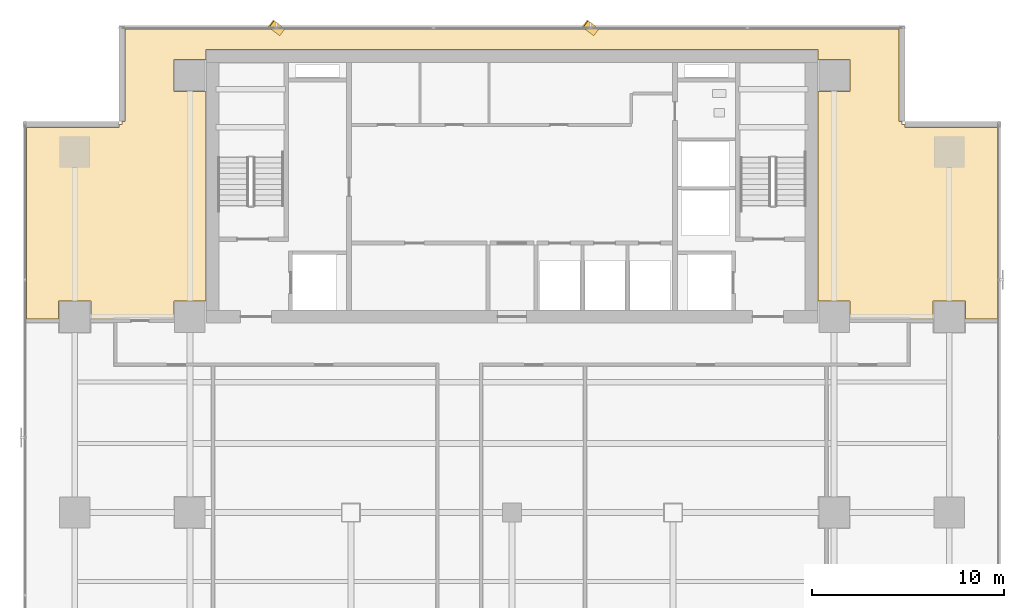
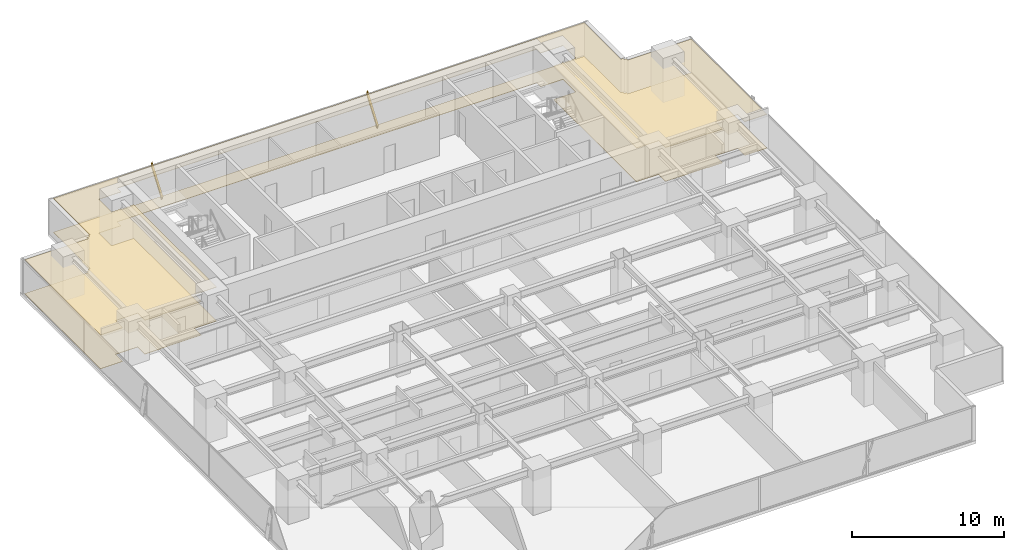
# One storey, part 35 of 37: 2 coverings, 2 shading devices.
"""IFC4 building model written with IfcOpenShell, lengths in metres."""

from ifc_helpers import new_model, si_unit, direction, frame, origin, origin_2d, place, context, subcontext, project, spatial, polyline, rectangle, outline, extrude, source, transform, mapped, material, layer, layer_set, material_profile, profile_set, type_object, element, save


model = new_model("IFC4")

# Units and contexts
model_context = context("Model", 3, precision=1e-05, world=origin(), true_north=direction((0.0, 1.0)))
body_context = subcontext(model_context, "Body", "Model", "MODEL_VIEW")
ifc_project = project(units=[si_unit("LENGTHUNIT", "METRE"), si_unit("AREAUNIT", "SQUARE_METRE"), si_unit("VOLUMEUNIT", "CUBIC_METRE"), si_unit("PLANEANGLEUNIT", "RADIAN"), si_unit("MASSUNIT", "GRAM", prefix="KILO")], contexts=[model_context])

# Site, building, storey
site_placement = place(None, origin())
site = spatial("IfcSite", under=ifc_project, at=site_placement, CompositionType="ELEMENT")
building_placement = place(site_placement, origin())
building = spatial("IfcBuilding", under=site, at=building_placement, Name="Sumidabori Civic Tower", CompositionType="ELEMENT")
storey_placement = place(building_placement, frame((0.0, 0.0, 110.0)))
storey = spatial("IfcBuildingStorey", under=building, at=storey_placement, Name="L28", CompositionType="ELEMENT", Elevation=110.0)

# Coverings
ifc_material_1 = material(Name="Acoustic Mineral Gypsum Ceiling Tile")
ifc_layer_1 = layer(ifc_material_1, 0.034912109375, Name="Acoustic Mineral Gypsum Ceiling Tile")
ifc_layer_set_1 = layer_set([ifc_layer_1], Name="Acoustic Mineral Gypsum Ceiling Tile")
covering_type_1 = type_object("IfcCoveringType", Name="CV-CEIL-AC1", PredefinedType="CEILING", material=ifc_layer_set_1)
covering_1_placement = place(storey_placement, frame((0.0, 0.0, 2.7099609375)))
element("IfcCovering", 1, at=covering_1_placement, inside=storey, type_object=covering_type_1, Name="Room Acoustic Ceiling L28-01", PredefinedType="CEILING", context=body_context, shape_type="SweptSolid", body=[
    extrude(outline(polyline([(-21.9599609375, 10.1025390625), (-21.9599609375, 11.0400390625), (-23.639892578125, 11.0400390625), (-23.639892578125, 10.1025390625), (-25.330078125, 10.1025390625), (-25.330078125, 20.072021484375), (-20.491943359375, 20.072021484375), (-20.491943359375, 20.22998046875), (-20.330078125, 20.22998046875), (-20.330078125, 20.39208984375), (-20.172119140625, 20.39208984375), (-20.172119140625, 25.22998046875), (20.172119140625, 25.22998046875), (20.172119140625, 20.39208984375), (20.330078125, 20.39208984375), (20.330078125, 20.22998046875), (20.491943359375, 20.22998046875), (20.491943359375, 20.072021484375), (25.330078125, 20.072021484375), (25.330078125, 10.1025390625), (23.639892578125, 10.1025390625), (23.639892578125, 11.0400390625), (21.9599609375, 11.0400390625), (21.9599609375, 10.1025390625), (20.784912109375, 10.1025390625), (20.784912109375, 10.135009765625), (17.639892578125, 10.135009765625), (17.639892578125, 11.0400390625), (15.952880859375, 11.0400390625), (15.952880859375, 21.9599609375), (17.639892578125, 21.9599609375), (17.639892578125, 23.639892578125), (15.952880859375, 23.639892578125), (15.952880859375, 24.153076171875), (-15.952880859375, 24.153076171875), (-15.952880859375, 23.639892578125), (-17.639892578125, 23.639892578125), (-17.639892578125, 21.9599609375), (-15.952880859375, 21.9599609375), (-15.952880859375, 11.0400390625), (-17.639892578125, 11.0400390625), (-17.639892578125, 10.135009765625), (-20.784912109375, 10.135009765625), (-20.784912109375, 10.1025390625), (-21.9599609375, 10.1025390625)])), origin(), (0.0, 0.0, 1.0), 0.03515625),
])
ifc_material_2 = material(Name="Honed Terrazzo Tile Flooring")
ifc_layer_2 = layer(ifc_material_2, 0.030029296875, Name="Honed Terrazzo Tile Flooring")
ifc_layer_set_2 = layer_set([ifc_layer_2], Name="Honed Terrazzo Tile Flooring")
covering_type_2 = type_object("IfcCoveringType", Name="CV-FLR-TER", PredefinedType="FLOORING", material=ifc_layer_set_2)
covering_2_placement = place(storey_placement, origin())
element("IfcCovering", 2, at=covering_2_placement, inside=storey, type_object=covering_type_2, Name="Room Terrazzo Floor L28-01", PredefinedType="FLOORING", context=body_context, shape_type="SweptSolid", body=[
    extrude(outline(polyline([(-21.9599609375, 10.1025390625), (-21.9599609375, 11.0400390625), (-23.639892578125, 11.0400390625), (-23.639892578125, 10.1025390625), (-25.330078125, 10.1025390625), (-25.330078125, 20.072021484375), (-20.491943359375, 20.072021484375), (-20.491943359375, 20.22998046875), (-20.330078125, 20.22998046875), (-20.330078125, 20.39208984375), (-20.172119140625, 20.39208984375), (-20.172119140625, 25.22998046875), (20.172119140625, 25.22998046875), (20.172119140625, 20.39208984375), (20.330078125, 20.39208984375), (20.330078125, 20.22998046875), (20.491943359375, 20.22998046875), (20.491943359375, 20.072021484375), (25.330078125, 20.072021484375), (25.330078125, 10.1025390625), (23.639892578125, 10.1025390625), (23.639892578125, 11.0400390625), (21.9599609375, 11.0400390625), (21.9599609375, 10.1025390625), (20.784912109375, 10.1025390625), (20.784912109375, 10.135009765625), (17.639892578125, 10.135009765625), (17.639892578125, 11.0400390625), (15.952880859375, 11.0400390625), (15.952880859375, 21.9599609375), (17.639892578125, 21.9599609375), (17.639892578125, 23.639892578125), (15.952880859375, 23.639892578125), (15.952880859375, 24.153076171875), (-15.952880859375, 24.153076171875), (-15.952880859375, 23.639892578125), (-17.639892578125, 23.639892578125), (-17.639892578125, 21.9599609375), (-15.952880859375, 21.9599609375), (-15.952880859375, 11.0400390625), (-17.639892578125, 11.0400390625), (-17.639892578125, 10.135009765625), (-20.784912109375, 10.135009765625), (-20.784912109375, 10.1025390625), (-21.9599609375, 10.1025390625)])), origin(), (0.0, 0.0, 1.0), 0.030029296875),
])

# Shading devices
ifc_material_3 = material(Name="Anodised Bronze Aluminium AW-6063-T6", Category="aluminium")
ifc_material_profile = material_profile(ifc_material_3, rectangle(XDim=0.06005859375, YDim=0.449951171875, at=origin_2d()), Name="BRONZE FIN 450x60")
ifc_profile_set = profile_set([ifc_material_profile], Name="Anodised Bronze Aluminium AW-6063-T6")
shading_device_type = type_object("IfcShadingDeviceType", Name="SH-FIN-450", PredefinedType="USERDEFINED", material=ifc_profile_set)
shared_shape = source(origin(), body_context, "Body", "SweptSolid", [
    extrude(rectangle(XDim=0.06005859375, YDim=0.449951171875, at=origin_2d()), origin(), (0.0, 0.0, 1.0), 2.769775390625),
])
for number, where, z_axis, x_axis, name in (
    (3, (4.3740234375, 25.070068359375, 0.02001953125), (-0.202198633998, 0.151604904305, 0.967538973582), (0.774112159528, -0.58041539424, 0.252721852241), "Bronze Anodised Diagonal Fin L28-02"),
    (4, (-12.001953125, 25.070068359375, 0.02001953125), (-0.202198633998, 0.151604904305, 0.967538973582), (0.774112159528, -0.58041539424, 0.252721852241), "Bronze Anodised Diagonal Fin L28-04"),
):
    element("IfcShadingDevice", number, at=place(storey_placement, frame(where, z_axis=z_axis, x_axis=x_axis)), inside=storey, type_object=shading_device_type, Name=name, ObjectType="FIN", PredefinedType="USERDEFINED", context=body_context, shape_type="MappedRepresentation", body=[
        mapped(shared_shape, transform((0.0, 0.0, 0.0), x_axis=(1.0, 0.0, 0.0), y_axis=(0.0, 1.0, 0.0), z_axis=(0.0, 0.0, 1.0), scale=1.0)),
    ])

save(model, "model.ifc")
